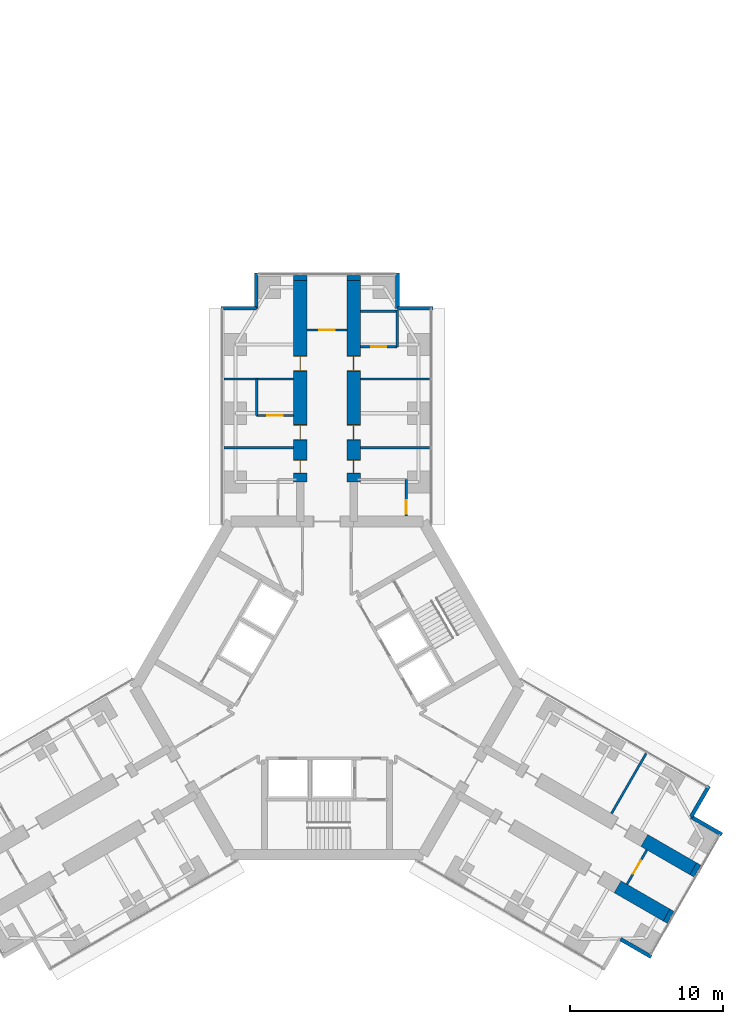
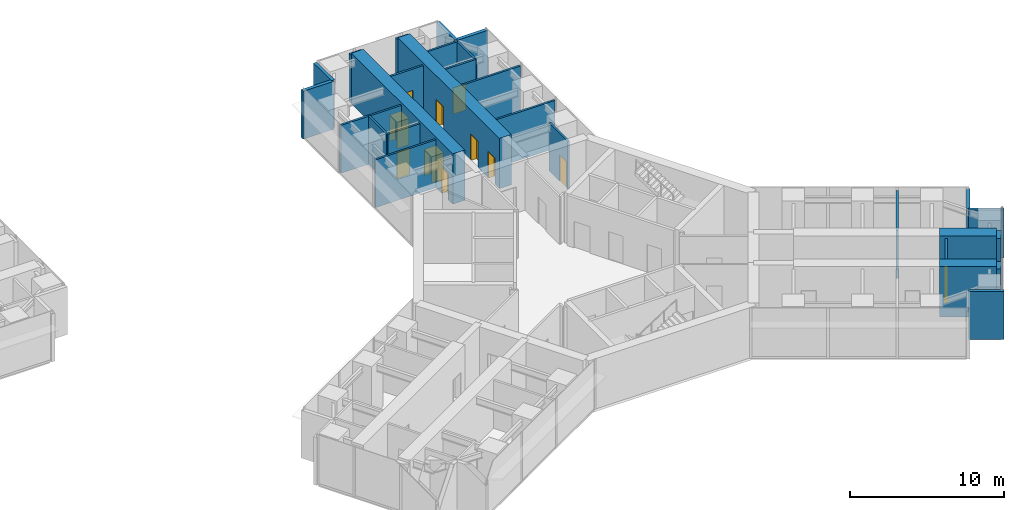
# One storey, part 22 of 24: 28 walls, 11 doors, 11 openings.
"""IFC4 building model written with IfcOpenShell, lengths in metres."""

from ifc_helpers import new_model, si_unit, direction, frame, frame_2d, origin, place, context, subcontext, project, spatial, rectangle, extrude, material, layer, layer_set, type_object, element, fill, save


model = new_model("IFC4")

# Units and contexts
model_context = context("Model", 3, precision=1e-05, world=origin(), true_north=direction((0.0, 1.0)))
body_context = subcontext(model_context, "Body", "Model", "MODEL_VIEW")
ifc_project = project(units=[si_unit("LENGTHUNIT", "METRE"), si_unit("AREAUNIT", "SQUARE_METRE"), si_unit("VOLUMEUNIT", "CUBIC_METRE"), si_unit("PLANEANGLEUNIT", "RADIAN"), si_unit("MASSUNIT", "GRAM", prefix="KILO")], contexts=[model_context])

# Site, building, storey
site_placement = place(None, origin())
site = spatial("IfcSite", under=ifc_project, at=site_placement, CompositionType="ELEMENT")
building_placement = place(site_placement, origin())
building = spatial("IfcBuilding", under=site, at=building_placement, Name="Upepo Twin Towers", CompositionType="ELEMENT")
storey_placement = place(building_placement, frame((0.0, 0.0, 52.5)))
storey = spatial("IfcBuildingStorey", under=building, at=storey_placement, Name="L12", CompositionType="ELEMENT", Elevation=52.5)

# Walls
ifc_material_1 = material(Name="Dense concrete blockwork", Category="masonry")
ifc_layer_1 = layer(ifc_material_1, 0.89990234375)
ifc_layer_set_1 = layer_set([ifc_layer_1], Name="Buttress closer 900, blockwork with fire-stopping to the curtain wall")
wall_type_1 = type_object("IfcWallType", Name="Buttress closer 900, blockwork with fire-stopping to the curtain wall", PredefinedType="PARTITIONING", material=ifc_layer_set_1)
for number, where, z_axis, x_axis, name in (
    (1, (56.75, 8.699951171875, 0.0), (0.0, 0.0, 1.0), (0.0, 1.0, 0.0), "T2 L12 wing A buttress closer L"),
    (2, (60.25, 8.699951171875, 0.0), (0.0, 0.0, 1.0), (0.0, 1.0, 0.0), "T2 L12 wing A buttress closer R"),
    (3, (82.497802734375, -29.83447265625, 0.0), (0.0, 0.0, 1.0), (0.866054481515, -0.499949632511, 0.0), "T2 L12 wing C buttress closer L"),
    (4, (80.747802734375, -32.865478515625, 0.0), (0.0, 0.0, 1.0), (0.866054481515, -0.499949632511, 0.0), "T2 L12 wing C buttress closer R"),
):
    element("IfcWall", number, at=place(storey_placement, frame(where, z_axis=z_axis, x_axis=x_axis)), inside=storey, type_object=wall_type_1, Name=name, PredefinedType="PARTITIONING", context=body_context, shape_type="SweptSolid", body=[
        extrude(rectangle(XDim=0.31005859375, YDim=0.89990234375, at=frame_2d((0.155029296875, 0.0))), origin(), (0.0, 0.0, 1.0), 3.800048828125),
    ])

# Wall, openings, doors
ifc_material_2 = material(Name="Concrete C60/75", Category="concrete")
ifc_layer_2 = layer(ifc_material_2, 0.89990234375)
ifc_layer_set_2 = layer_set([ifc_layer_2], Name="Concrete C60/75")
wall_type_2 = type_object("IfcWallType", Name="Buttress wall 900 RC", PredefinedType="SHEAR", material=ifc_layer_set_2)
wall_1_placement = place(storey_placement, frame((56.75, -4.5, 0.0), z_axis=(0.0, 0.0, 1.0), x_axis=(0.0, 1.0, 0.0)))
wall_1 = element("IfcWall", 5, at=wall_1_placement, inside=storey, type_object=wall_type_2, Name="T2 wing A buttress wall L part 2", PredefinedType="SHEAR", context=body_context, shape_type="SweptSolid", body=[
    extrude(rectangle(XDim=13.199951171875, YDim=0.89990234375, at=frame_2d((6.60009765625, 0.0))), origin(), (0.0, 0.0, 1.0), 4.0),
])
opening_1_placement = place(wall_1_placement, frame((0.550048828125, 0.0, 0.0)))
opening_1 = element("IfcOpeningElement", 6, at=opening_1_placement, cuts=wall_1, Name="Opening D11", PredefinedType="OPENING", context=body_context, shape_type="SweptSolid", body=[
    extrude(rectangle(XDim=0.89990234375, YDim=2.10009765625, at=frame_2d((0.449951171875, 1.050048828125))), frame((0.0, 0.4599609375, 0.0), z_axis=(0.0, -1.0, 0.0), x_axis=(1.0, 0.0, 0.0)), (0.0, 0.0, 1.0), 0.919921875),
])
opening_2_placement = place(wall_1_placement, frame((2.75, 0.0, 0.0)))
opening_2 = element("IfcOpeningElement", 7, at=opening_2_placement, cuts=wall_1, Name="Opening D1", PredefinedType="OPENING", context=body_context, shape_type="SweptSolid", body=[
    extrude(rectangle(XDim=1.0, YDim=2.10009765625, at=frame_2d((0.5, 1.050048828125))), frame((0.0, 0.4599609375, 0.0), z_axis=(0.0, -1.0, 0.0), x_axis=(1.0, 0.0, 0.0)), (0.0, 0.0, 1.0), 0.919921875),
])
opening_3_placement = place(wall_1_placement, frame((7.25, 0.0, 0.0)))
opening_3 = element("IfcOpeningElement", 8, at=opening_3_placement, cuts=wall_1, Name="Opening D1", PredefinedType="OPENING", context=body_context, shape_type="SweptSolid", body=[
    extrude(rectangle(XDim=1.0, YDim=2.10009765625, at=frame_2d((0.5, 1.050048828125))), frame((0.0, 0.4599609375, 0.0), z_axis=(0.0, -1.0, 0.0), x_axis=(1.0, 0.0, 0.0)), (0.0, 0.0, 1.0), 0.919921875),
])
ifc_material_3 = material(Name="Timber doorset", Category="wood")
door_type_1 = type_object("IfcDoorType", Name="Room door 1000 FD30", OperationType="SINGLE_SWING_LEFT", PredefinedType="DOOR", material=ifc_material_3)
door_1_placement = place(opening_2_placement, origin())
door_1 = element("IfcDoor", 9, at=door_1_placement, inside=storey, type_object=door_type_1, Name="T2 L12 tutorial room door", OperationType="SINGLE_SWING_LEFT", OverallHeight=2.10009765625, OverallWidth=1.0, PredefinedType="DOOR", context=body_context, shape_type="SweptSolid", body=[
    extrude(rectangle(XDim=0.92, YDim=2.06009765625, at=frame_2d((0.5, 1.030029296875))), frame((0.0, 0.02490234375, 0.0), z_axis=(0.0, -1.0, 0.0), x_axis=(1.0, 0.0, 0.0)), (0.0, 0.0, 1.0), 0.050048828125),
    extrude(rectangle(XDim=0.04, YDim=2.10009765625, at=frame_2d((0.02001953125, 1.050048828125))), frame((0.0, 0.44970703125, 0.0), z_axis=(0.0, -1.0, 0.0), x_axis=(1.0, 0.0, 0.0)), (0.0, 0.0, 1.0), 0.8994140625),
    extrude(rectangle(XDim=0.04, YDim=2.10009765625, at=frame_2d((0.97998046875, 1.050048828125))), frame((0.0, 0.44970703125, 0.0), z_axis=(0.0, -1.0, 0.0), x_axis=(1.0, 0.0, 0.0)), (0.0, 0.0, 1.0), 0.8994140625),
    extrude(rectangle(XDim=0.92, YDim=0.04, at=frame_2d((0.5, 2.080078125))), frame((0.0, 0.44970703125, 0.0), z_axis=(0.0, -1.0, 0.0), x_axis=(1.0, 0.0, 0.0)), (0.0, 0.0, 1.0), 0.8994140625),
])
fill(opening_2, door_1)
door_2_placement = place(opening_3_placement, origin())
door_2 = element("IfcDoor", 10, at=door_2_placement, inside=storey, type_object=door_type_1, Name="T2 L12 staff office door", OperationType="SINGLE_SWING_RIGHT", OverallHeight=2.10009765625, OverallWidth=1.0, PredefinedType="DOOR", context=body_context, shape_type="SweptSolid", body=[
    extrude(rectangle(XDim=0.92, YDim=2.06009765625, at=frame_2d((0.5, 1.030029296875))), frame((0.0, 0.02490234375, 0.0), z_axis=(0.0, -1.0, 0.0), x_axis=(1.0, 0.0, 0.0)), (0.0, 0.0, 1.0), 0.050048828125),
    extrude(rectangle(XDim=0.04, YDim=2.10009765625, at=frame_2d((0.02001953125, 1.050048828125))), frame((0.0, 0.44970703125, 0.0), z_axis=(0.0, -1.0, 0.0), x_axis=(1.0, 0.0, 0.0)), (0.0, 0.0, 1.0), 0.8994140625),
    extrude(rectangle(XDim=0.04, YDim=2.10009765625, at=frame_2d((0.97998046875, 1.050048828125))), frame((0.0, 0.44970703125, 0.0), z_axis=(0.0, -1.0, 0.0), x_axis=(1.0, 0.0, 0.0)), (0.0, 0.0, 1.0), 0.8994140625),
    extrude(rectangle(XDim=0.92, YDim=0.04, at=frame_2d((0.5, 2.080078125))), frame((0.0, 0.44970703125, 0.0), z_axis=(0.0, -1.0, 0.0), x_axis=(1.0, 0.0, 0.0)), (0.0, 0.0, 1.0), 0.8994140625),
])
fill(opening_3, door_2)
ifc_material_4 = material(Name="Timber doorset", Category="wood")
door_type_2 = type_object("IfcDoorType", Name="Toilet door 900", OperationType="SINGLE_SWING_LEFT", PredefinedType="DOOR", material=ifc_material_4)
door_3_placement = place(opening_1_placement, origin())
door_3 = element("IfcDoor", 11, at=door_3_placement, inside=storey, type_object=door_type_2, Name="T2 L12 toilets door", OperationType="SINGLE_SWING_LEFT", OverallHeight=2.10009765625, OverallWidth=0.89990234375, PredefinedType="DOOR", context=body_context, shape_type="SweptSolid", body=[
    extrude(rectangle(XDim=0.81990234375, YDim=2.06009765625, at=frame_2d((0.449951171875, 1.030029296875))), frame((0.0, 0.02490234375, 0.0), z_axis=(0.0, -1.0, 0.0), x_axis=(1.0, 0.0, 0.0)), (0.0, 0.0, 1.0), 0.050048828125),
    extrude(rectangle(XDim=0.04, YDim=2.10009765625, at=frame_2d((0.02001953125, 1.050048828125))), frame((0.0, 0.44970703125, 0.0), z_axis=(0.0, -1.0, 0.0), x_axis=(1.0, 0.0, 0.0)), (0.0, 0.0, 1.0), 0.8994140625),
    extrude(rectangle(XDim=0.04, YDim=2.10009765625, at=frame_2d((0.8798828125, 1.050048828125))), frame((0.0, 0.44970703125, 0.0), z_axis=(0.0, -1.0, 0.0), x_axis=(1.0, 0.0, 0.0)), (0.0, 0.0, 1.0), 0.8994140625),
    extrude(rectangle(XDim=0.81990234375, YDim=0.04, at=frame_2d((0.449951171875, 2.080078125))), frame((0.0, 0.44970703125, 0.0), z_axis=(0.0, -1.0, 0.0), x_axis=(1.0, 0.0, 0.0)), (0.0, 0.0, 1.0), 0.8994140625),
])
fill(opening_1, door_3)

wall_2_placement = place(storey_placement, frame((60.25, -4.5, 0.0), z_axis=(0.0, 0.0, 1.0), x_axis=(0.0, 1.0, 0.0)))
wall_2 = element("IfcWall", 12, at=wall_2_placement, inside=storey, type_object=wall_type_2, Name="T2 wing A buttress wall R part 2", PredefinedType="SHEAR", context=body_context, shape_type="SweptSolid", body=[
    extrude(rectangle(XDim=13.199951171875, YDim=0.89990234375, at=frame_2d((6.60009765625, 0.0))), origin(), (0.0, 0.0, 1.0), 4.0),
])
opening_4_placement = place(wall_2_placement, frame((0.550048828125, 0.0, 0.0)))
opening_4 = element("IfcOpeningElement", 13, at=opening_4_placement, cuts=wall_2, Name="Opening D11", PredefinedType="OPENING", context=body_context, shape_type="SweptSolid", body=[
    extrude(rectangle(XDim=0.89990234375, YDim=2.10009765625, at=frame_2d((0.449951171875, 1.050048828125))), frame((0.0, 0.4599609375, 0.0), z_axis=(0.0, -1.0, 0.0), x_axis=(1.0, 0.0, 0.0)), (0.0, 0.0, 1.0), 0.919921875),
])
opening_5_placement = place(wall_2_placement, frame((2.75, 0.0, 0.0)))
opening_5 = element("IfcOpeningElement", 14, at=opening_5_placement, cuts=wall_2, Name="Opening D1", PredefinedType="OPENING", context=body_context, shape_type="SweptSolid", body=[
    extrude(rectangle(XDim=1.0, YDim=2.10009765625, at=frame_2d((0.5, 1.050048828125))), frame((0.0, 0.4599609375, 0.0), z_axis=(0.0, -1.0, 0.0), x_axis=(1.0, 0.0, 0.0)), (0.0, 0.0, 1.0), 0.919921875),
])
opening_6_placement = place(wall_2_placement, frame((7.25, 0.0, 0.0)))
opening_6 = element("IfcOpeningElement", 15, at=opening_6_placement, cuts=wall_2, Name="Opening D1", PredefinedType="OPENING", context=body_context, shape_type="SweptSolid", body=[
    extrude(rectangle(XDim=1.0, YDim=2.10009765625, at=frame_2d((0.5, 1.050048828125))), frame((0.0, 0.4599609375, 0.0), z_axis=(0.0, -1.0, 0.0), x_axis=(1.0, 0.0, 0.0)), (0.0, 0.0, 1.0), 0.919921875),
])
door_4_placement = place(opening_5_placement, origin())
door_4 = element("IfcDoor", 16, at=door_4_placement, inside=storey, type_object=door_type_1, Name="T2 L12 seminar room door", OperationType="SINGLE_SWING_LEFT", OverallHeight=2.10009765625, OverallWidth=1.0, PredefinedType="DOOR", context=body_context, shape_type="SweptSolid", body=[
    extrude(rectangle(XDim=0.92, YDim=2.06009765625, at=frame_2d((0.5, 1.030029296875))), frame((0.0, 0.02490234375, 0.0), z_axis=(0.0, -1.0, 0.0), x_axis=(1.0, 0.0, 0.0)), (0.0, 0.0, 1.0), 0.050048828125),
    extrude(rectangle(XDim=0.04, YDim=2.10009765625, at=frame_2d((0.02001953125, 1.050048828125))), frame((0.0, 0.44970703125, 0.0), z_axis=(0.0, -1.0, 0.0), x_axis=(1.0, 0.0, 0.0)), (0.0, 0.0, 1.0), 0.8994140625),
    extrude(rectangle(XDim=0.04, YDim=2.10009765625, at=frame_2d((0.97998046875, 1.050048828125))), frame((0.0, 0.44970703125, 0.0), z_axis=(0.0, -1.0, 0.0), x_axis=(1.0, 0.0, 0.0)), (0.0, 0.0, 1.0), 0.8994140625),
    extrude(rectangle(XDim=0.92, YDim=0.04, at=frame_2d((0.5, 2.080078125))), frame((0.0, 0.44970703125, 0.0), z_axis=(0.0, -1.0, 0.0), x_axis=(1.0, 0.0, 0.0)), (0.0, 0.0, 1.0), 0.8994140625),
])
fill(opening_5, door_4)
door_5_placement = place(opening_6_placement, origin())
door_5 = element("IfcDoor", 17, at=door_5_placement, inside=storey, type_object=door_type_1, Name="T2 L12 tutorial room door", OperationType="SINGLE_SWING_RIGHT", OverallHeight=2.10009765625, OverallWidth=1.0, PredefinedType="DOOR", context=body_context, shape_type="SweptSolid", body=[
    extrude(rectangle(XDim=0.92, YDim=2.06009765625, at=frame_2d((0.5, 1.030029296875))), frame((0.0, 0.02490234375, 0.0), z_axis=(0.0, -1.0, 0.0), x_axis=(1.0, 0.0, 0.0)), (0.0, 0.0, 1.0), 0.050048828125),
    extrude(rectangle(XDim=0.04, YDim=2.10009765625, at=frame_2d((0.02001953125, 1.050048828125))), frame((0.0, 0.44970703125, 0.0), z_axis=(0.0, -1.0, 0.0), x_axis=(1.0, 0.0, 0.0)), (0.0, 0.0, 1.0), 0.8994140625),
    extrude(rectangle(XDim=0.04, YDim=2.10009765625, at=frame_2d((0.97998046875, 1.050048828125))), frame((0.0, 0.44970703125, 0.0), z_axis=(0.0, -1.0, 0.0), x_axis=(1.0, 0.0, 0.0)), (0.0, 0.0, 1.0), 0.8994140625),
    extrude(rectangle(XDim=0.92, YDim=0.04, at=frame_2d((0.5, 2.080078125))), frame((0.0, 0.44970703125, 0.0), z_axis=(0.0, -1.0, 0.0), x_axis=(1.0, 0.0, 0.0)), (0.0, 0.0, 1.0), 0.8994140625),
])
fill(opening_6, door_5)
door_6_placement = place(opening_4_placement, origin())
door_6 = element("IfcDoor", 18, at=door_6_placement, inside=storey, type_object=door_type_2, Name="T2 L12 accessible wc door", OperationType="SINGLE_SWING_LEFT", OverallHeight=2.10009765625, OverallWidth=0.89990234375, PredefinedType="DOOR", context=body_context, shape_type="SweptSolid", body=[
    extrude(rectangle(XDim=0.81990234375, YDim=2.06009765625, at=frame_2d((0.449951171875, 1.030029296875))), frame((0.0, 0.02490234375, 0.0), z_axis=(0.0, -1.0, 0.0), x_axis=(1.0, 0.0, 0.0)), (0.0, 0.0, 1.0), 0.050048828125),
    extrude(rectangle(XDim=0.04, YDim=2.10009765625, at=frame_2d((0.02001953125, 1.050048828125))), frame((0.0, 0.44970703125, 0.0), z_axis=(0.0, -1.0, 0.0), x_axis=(1.0, 0.0, 0.0)), (0.0, 0.0, 1.0), 0.8994140625),
    extrude(rectangle(XDim=0.04, YDim=2.10009765625, at=frame_2d((0.8798828125, 1.050048828125))), frame((0.0, 0.44970703125, 0.0), z_axis=(0.0, -1.0, 0.0), x_axis=(1.0, 0.0, 0.0)), (0.0, 0.0, 1.0), 0.8994140625),
    extrude(rectangle(XDim=0.81990234375, YDim=0.04, at=frame_2d((0.449951171875, 2.080078125))), frame((0.0, 0.44970703125, 0.0), z_axis=(0.0, -1.0, 0.0), x_axis=(1.0, 0.0, 0.0)), (0.0, 0.0, 1.0), 0.8994140625),
])
fill(opening_4, door_6)

# Walls
wall_3_placement = place(storey_placement, frame((79.293701171875, -27.984375, 0.0), z_axis=(0.0, 0.0, 1.0), x_axis=(0.866000971088, -0.500042316284, 0.0)))
element("IfcWall", 19, at=wall_3_placement, inside=storey, type_object=wall_type_2, Name="T2 wing C buttress wall L part 3", PredefinedType="SHEAR", context=body_context, shape_type="SweptSolid", body=[
    extrude(rectangle(XDim=3.699951171875, YDim=0.89990234375, at=frame_2d((1.85009765625, 0.0))), origin(), (0.0, 0.0, 1.0), 4.0),
])
wall_4_placement = place(storey_placement, frame((77.543701171875, -31.015625, 0.0), z_axis=(0.0, 0.0, 1.0), x_axis=(0.866029545028, -0.499992827086, 0.0)))
element("IfcWall", 20, at=wall_4_placement, inside=storey, type_object=wall_type_2, Name="T2 wing C buttress wall R part 3", PredefinedType="SHEAR", context=body_context, shape_type="SweptSolid", body=[
    extrude(rectangle(XDim=3.69970703125, YDim=0.89990234375, at=frame_2d((1.849853515625, 0.0))), origin(), (0.0, 0.0, 1.0), 4.0),
])
ifc_material_5 = material(Name="Blockwork with anodised aluminium cladding", Category="masonry")
ifc_layer_3 = layer(ifc_material_5, 0.25)
ifc_layer_set_3 = layer_set([ifc_layer_3], Name="Notch cladding wall 250, pale metal")
wall_type_3 = type_object("IfcWallType", Name="Notch cladding wall 250, pale metal", PredefinedType="STANDARD", material=ifc_layer_set_3)
for number, where, z_axis, x_axis, name in (
    (21, (51.550048828125, 6.875, 0.0), (0.0, 0.0, 1.0), (1.0, 0.0, 0.0), "T2 L12 wing A notch wall L1"),
    (22, (53.875, 6.875, 0.0), (0.0, 0.0, 1.0), (0.0, 1.0, 0.0), "T2 L12 wing A notch wall L2"),
    (23, (65.449951171875, 6.875, 0.0), (0.0, 0.0, 1.0), (-1.0, 0.0, 0.0), "T2 L12 wing A notch wall R1"),
    (24, (63.125, 6.875, 0.0), (0.0, 0.0, 1.0), (0.0, 1.0, 0.0), "T2 L12 wing A notch wall R2"),
    (25, (83.517333984375, -24.418701171875, 0.0), (0.0, 0.0, 1.0), (-0.499967891604, -0.866043940782, 0.0), "T2 L12 wing C notch wall L1"),
    (26, (82.35498046875, -26.43212890625, 0.0), (0.0, 0.0, 1.0), (0.865998469481, -0.500046648681, 0.0), "T2 L12 wing C notch wall L2"),
    (27, (77.72998046875, -34.44287109375, 0.0), (0.0, 0.0, 1.0), (0.865998469481, -0.500046648681, 0.0), "T2 L12 wing C notch wall R2"),
):
    element("IfcWall", number, at=place(storey_placement, frame(where, z_axis=z_axis, x_axis=x_axis)), inside=storey, type_object=wall_type_3, Name=name, PredefinedType="STANDARD", context=body_context, shape_type="SweptSolid", body=[
        extrude(rectangle(XDim=2.324951171875, YDim=0.25, at=frame_2d((1.16259765625, 0.0))), origin(), (0.0, 0.0, 1.0), 3.800048828125),
    ])
ifc_material_6 = material(Name="Gypsum board on steel studs", Category="steel")
ifc_layer_4 = layer(ifc_material_6, 0.14990234375)
ifc_layer_set_4 = layer_set([ifc_layer_4], Name="Teaching partition 150 acoustic")
wall_type_4 = type_object("IfcWallType", Name="Teaching partition 150 acoustic", PredefinedType="PARTITIONING", material=ifc_layer_set_4)
for number, where, z_axis, x_axis, name in (
    (28, (56.300048828125, -2.25, 0.0), (0.0, 0.0, 1.0), (-1.0, 0.0, 0.0), "T2 partition AL at 15.75"),
    (29, (56.300048828125, 2.25, 0.0), (0.0, 0.0, 1.0), (-1.0, 0.0, 0.0), "T2 partition AL at 20.25"),
):
    element("IfcWall", number, at=place(storey_placement, frame(where, z_axis=z_axis, x_axis=x_axis)), inside=storey, type_object=wall_type_4, Name=name, PredefinedType="PARTITIONING", context=body_context, shape_type="SweptSolid", body=[
        extrude(rectangle(XDim=4.550048828125, YDim=0.14990234375, at=frame_2d((2.27490234375, 0.0))), origin(), (0.0, 0.0, 1.0), 3.800048828125),
    ])
wall_5_placement = place(storey_placement, frame((53.89990234375, -0.14990234375, 0.0), z_axis=(0.0, 0.0, 1.0), x_axis=(0.0, 1.0, 0.0)))
element("IfcWall", 30, at=wall_5_placement, inside=storey, type_object=wall_type_4, Name="T2 inner room partition AL at 17.85", PredefinedType="PARTITIONING", context=body_context, shape_type="SweptSolid", body=[
    extrude(rectangle(XDim=2.39990234375, YDim=0.14990234375, at=frame_2d((1.199951171875, 0.0))), origin(), (0.0, 0.0, 1.0), 3.800048828125),
])

# Wall, opening, door
wall_6_placement = place(storey_placement, frame((56.300048828125, -0.14990234375, 0.0), z_axis=(0.0, 0.0, 1.0), x_axis=(-1.0, 0.0, 0.0)))
wall_6 = element("IfcWall", 31, at=wall_6_placement, inside=storey, type_object=wall_type_4, Name="T2 inner room partition AL end at 17.85", PredefinedType="PARTITIONING", context=body_context, shape_type="SweptSolid", body=[
    extrude(rectangle(XDim=2.400146484375, YDim=0.14990234375, at=frame_2d((1.2001953125, 0.0))), origin(), (0.0, 0.0, 1.0), 3.800048828125),
])
opening_7_placement = place(wall_6_placement, frame((0.699951171875, 0.0, 0.0)))
opening_7 = element("IfcOpeningElement", 32, at=opening_7_placement, cuts=wall_6, Name="Opening D1", PredefinedType="OPENING", context=body_context, shape_type="SweptSolid", body=[
    extrude(rectangle(XDim=1.0, YDim=2.10009765625, at=frame_2d((0.5, 1.050048828125))), frame((0.0, 0.0849609375, 0.0), z_axis=(0.0, -1.0, 0.0), x_axis=(1.0, 0.0, 0.0)), (0.0, 0.0, 1.0), 0.169921875),
])
door_7_placement = place(opening_7_placement, origin())
door_7 = element("IfcDoor", 33, at=door_7_placement, inside=storey, type_object=door_type_1, Name="T2 L12 inner room door", OperationType="SINGLE_SWING_LEFT", OverallHeight=2.10009765625, OverallWidth=1.0, PredefinedType="DOOR", context=body_context, shape_type="SweptSolid", body=[
    extrude(rectangle(XDim=1.0, YDim=2.10009765625, at=frame_2d((0.5, 1.050048828125))), frame((0.0, 0.02490234375, 0.0), z_axis=(0.0, -1.0, 0.0), x_axis=(1.0, 0.0, 0.0)), (0.0, 0.0, 1.0), 0.050048828125),
])
fill(opening_7, door_7)

# Walls
for number, where, z_axis, x_axis, name in (
    (34, (60.699951171875, -2.25, 0.0), (0.0, 0.0, 1.0), (1.0, 0.0, 0.0), "T2 partition AR at 15.75"),
    (35, (60.699951171875, 2.25, 0.0), (0.0, 0.0, 1.0), (1.0, 0.0, 0.0), "T2 partition AR at 20.25"),
):
    element("IfcWall", number, at=place(storey_placement, frame(where, z_axis=z_axis, x_axis=x_axis)), inside=storey, type_object=wall_type_4, Name=name, PredefinedType="PARTITIONING", context=body_context, shape_type="SweptSolid", body=[
        extrude(rectangle(XDim=4.550048828125, YDim=0.14990234375, at=frame_2d((2.27490234375, 0.0))), origin(), (0.0, 0.0, 1.0), 3.800048828125),
    ])
wall_7_placement = place(storey_placement, frame((63.10009765625, 4.35009765625, 0.0), z_axis=(0.0, 0.0, 1.0), x_axis=(0.0, 1.0, 0.0)))
element("IfcWall", 36, at=wall_7_placement, inside=storey, type_object=wall_type_4, Name="T2 inner room partition AR at 22.35", PredefinedType="PARTITIONING", context=body_context, shape_type="SweptSolid", body=[
    extrude(rectangle(XDim=2.39990234375, YDim=0.14990234375, at=frame_2d((1.199951171875, 0.0))), origin(), (0.0, 0.0, 1.0), 3.800048828125),
])

# Wall, opening, door
wall_8_placement = place(storey_placement, frame((60.699951171875, 4.35009765625, 0.0), z_axis=(0.0, 0.0, 1.0), x_axis=(1.0, 0.0, 0.0)))
wall_8 = element("IfcWall", 37, at=wall_8_placement, inside=storey, type_object=wall_type_4, Name="T2 inner room partition AR end at 22.35", PredefinedType="PARTITIONING", context=body_context, shape_type="SweptSolid", body=[
    extrude(rectangle(XDim=2.400146484375, YDim=0.14990234375, at=frame_2d((1.2001953125, 0.0))), origin(), (0.0, 0.0, 1.0), 3.800048828125),
])
opening_8_placement = place(wall_8_placement, frame((0.699951171875, 0.0, 0.0)))
opening_8 = element("IfcOpeningElement", 38, at=opening_8_placement, cuts=wall_8, Name="Opening D1", PredefinedType="OPENING", context=body_context, shape_type="SweptSolid", body=[
    extrude(rectangle(XDim=1.0, YDim=2.10009765625, at=frame_2d((0.5, 1.050048828125))), frame((0.0, 0.0849609375, 0.0), z_axis=(0.0, -1.0, 0.0), x_axis=(1.0, 0.0, 0.0)), (0.0, 0.0, 1.0), 0.169921875),
])
door_8_placement = place(opening_8_placement, origin())
door_8 = element("IfcDoor", 39, at=door_8_placement, inside=storey, type_object=door_type_1, Name="T2 L12 inner room door", OperationType="SINGLE_SWING_LEFT", OverallHeight=2.10009765625, OverallWidth=1.0, PredefinedType="DOOR", context=body_context, shape_type="SweptSolid", body=[
    extrude(rectangle(XDim=1.0, YDim=2.10009765625, at=frame_2d((0.5, 1.050048828125))), frame((0.0, 0.02490234375, 0.0), z_axis=(0.0, -1.0, 0.0), x_axis=(1.0, 0.0, 0.0)), (0.0, 0.0, 1.0), 0.050048828125),
])
fill(opening_8, door_8)

# Wall
wall_9_placement = place(storey_placement, frame((60.699951171875, 6.675048828125, 0.0), z_axis=(0.0, 0.0, 1.0), x_axis=(1.0, 0.0, 0.0)))
element("IfcWall", 40, at=wall_9_placement, inside=storey, type_object=wall_type_4, Name="T2 inner room partition AR end at 24.75", PredefinedType="PARTITIONING", context=body_context, shape_type="SweptSolid", body=[
    extrude(rectangle(XDim=2.400146484375, YDim=0.14990234375, at=frame_2d((1.2001953125, 0.0))), origin(), (0.0, 0.0, 1.0), 3.800048828125),
])

# Wall, opening, door
wall_10_placement = place(storey_placement, frame((63.699951171875, -6.741943359375, 0.0), z_axis=(0.0, 0.0, 1.0), x_axis=(0.0, 1.0, 0.0)))
wall_10 = element("IfcWall", 41, at=wall_10_placement, inside=storey, type_object=wall_type_4, Name="T2 WC bay partition AR at 11.26", PredefinedType="PARTITIONING", context=body_context, shape_type="SweptSolid", body=[
    extrude(rectangle(XDim=2.39990234375, YDim=0.14990234375, at=frame_2d((1.199951171875, 0.0))), origin(), (0.0, 0.0, 1.0), 3.800048828125),
])
opening_9_placement = place(wall_10_placement, frame((0.14990234375, 0.0, 0.0)))
opening_9 = element("IfcOpeningElement", 42, at=opening_9_placement, cuts=wall_10, Name="Opening D14", PredefinedType="OPENING", context=body_context, shape_type="SweptSolid", body=[
    extrude(rectangle(XDim=0.89990234375, YDim=2.10009765625, at=frame_2d((0.449951171875, 1.050048828125))), frame((0.0, 0.0849609375, 0.0), z_axis=(0.0, -1.0, 0.0), x_axis=(1.0, 0.0, 0.0)), (0.0, 0.0, 1.0), 0.169921875),
])
ifc_material_7 = material(Name="Timber doorset", Category="wood")
door_type_3 = type_object("IfcDoorType", Name="Office door 900 FD30", OperationType="SINGLE_SWING_LEFT", PredefinedType="DOOR", material=ifc_material_7)
door_9_placement = place(opening_9_placement, origin())
door_9 = element("IfcDoor", 43, at=door_9_placement, inside=storey, type_object=door_type_3, Name="T2 L12 WC bay inner room door", OperationType="SINGLE_SWING_LEFT", OverallHeight=2.10009765625, OverallWidth=0.89990234375, PredefinedType="DOOR", context=body_context, shape_type="SweptSolid", body=[
    extrude(rectangle(XDim=0.89990234375, YDim=2.10009765625, at=frame_2d((0.449951171875, 1.050048828125))), frame((0.0, 0.02490234375, 0.0), z_axis=(0.0, -1.0, 0.0), x_axis=(1.0, 0.0, 0.0)), (0.0, 0.0, 1.0), 0.050048828125),
])
fill(opening_9, door_9)

# Wall
wall_11_placement = place(storey_placement, frame((77.136962890625, -26.2197265625, 0.0), z_axis=(0.0, 0.0, 1.0), x_axis=(0.500022803284, 0.866012237902, 0.0)))
element("IfcWall", 44, at=wall_11_placement, inside=storey, type_object=wall_type_4, Name="T2 partition CL at 20.25", PredefinedType="PARTITIONING", context=body_context, shape_type="SweptSolid", body=[
    extrude(rectangle(XDim=4.550048828125, YDim=0.14990234375, at=frame_2d((2.27490234375, 0.0))), origin(), (0.0, 0.0, 1.0), 3.800048828125),
])

# Wall, opening, door
wall_12_placement = place(storey_placement, frame((59.800048828125, 5.449951171875, 0.0), z_axis=(0.0, 0.0, 1.0), x_axis=(-1.0, 0.0, 0.0)))
wall_12 = element("IfcWall", 45, at=wall_12_placement, inside=storey, type_object=wall_type_4, Name="T2 corridor end partition A at 23.45", PredefinedType="PARTITIONING", context=body_context, shape_type="SweptSolid", body=[
    extrude(rectangle(XDim=2.60009765625, YDim=0.14990234375, at=frame_2d((1.300048828125, 0.0))), origin(), (0.0, 0.0, 1.0), 3.800048828125),
])
opening_10_placement = place(wall_12_placement, frame((0.800048828125, 0.0, 0.0)))
opening_10 = element("IfcOpeningElement", 46, at=opening_10_placement, cuts=wall_12, Name="Opening D1", PredefinedType="OPENING", context=body_context, shape_type="SweptSolid", body=[
    extrude(rectangle(XDim=1.0, YDim=2.10009765625, at=frame_2d((0.5, 1.050048828125))), frame((0.0, 0.0849609375, 0.0), z_axis=(0.0, -1.0, 0.0), x_axis=(1.0, 0.0, 0.0)), (0.0, 0.0, 1.0), 0.169921875),
])
door_10_placement = place(opening_10_placement, origin())
door_10 = element("IfcDoor", 47, at=door_10_placement, inside=storey, type_object=door_type_1, Name="T2 L12 breakout study room door", OperationType="SINGLE_SWING_LEFT", OverallHeight=2.10009765625, OverallWidth=1.0, PredefinedType="DOOR", context=body_context, shape_type="SweptSolid", body=[
    extrude(rectangle(XDim=1.0, YDim=2.10009765625, at=frame_2d((0.5, 1.050048828125))), frame((0.0, 0.02490234375, 0.0), z_axis=(0.0, -1.0, 0.0), x_axis=(1.0, 0.0, 0.0)), (0.0, 0.0, 1.0), 0.050048828125),
])
fill(opening_10, door_10)

wall_13_placement = place(storey_placement, frame((78.158203125, -30.850830078125, 0.0), z_axis=(0.0, 0.0, 1.0), x_axis=(0.500006934395, 0.866021400173, 0.0)))
wall_13 = element("IfcWall", 48, at=wall_13_placement, inside=storey, type_object=wall_type_4, Name="T2 corridor end partition C at 23.45", PredefinedType="PARTITIONING", context=body_context, shape_type="SweptSolid", body=[
    extrude(rectangle(XDim=2.60009765625, YDim=0.14990234375, at=frame_2d((1.300048828125, 0.0))), origin(), (0.0, 0.0, 1.0), 3.800048828125),
])
opening_11_placement = place(wall_13_placement, frame((0.800048828125, 0.0, 0.0)))
opening_11 = element("IfcOpeningElement", 49, at=opening_11_placement, cuts=wall_13, Name="Opening D1", PredefinedType="OPENING", context=body_context, shape_type="SweptSolid", body=[
    extrude(rectangle(XDim=1.0, YDim=2.10009765625, at=frame_2d((0.5, 1.050048828125))), frame((0.0, 0.0849609375, 0.0), z_axis=(0.0, -1.0, 0.0), x_axis=(1.0, 0.0, 0.0)), (0.0, 0.0, 1.0), 0.169921875),
])
door_11_placement = place(opening_11_placement, origin())
door_11 = element("IfcDoor", 50, at=door_11_placement, inside=storey, type_object=door_type_1, Name="T2 L12 breakout study room door", OperationType="SINGLE_SWING_LEFT", OverallHeight=2.10009765625, OverallWidth=1.0, PredefinedType="DOOR", context=body_context, shape_type="SweptSolid", body=[
    extrude(rectangle(XDim=1.0, YDim=2.10009765625, at=frame_2d((0.5, 1.050048828125))), frame((0.0, 0.02490234375, 0.0), z_axis=(0.0, -1.0, 0.0), x_axis=(1.0, 0.0, 0.0)), (0.0, 0.0, 1.0), 0.050048828125),
])
fill(opening_11, door_11)

save(model, "model.ifc")
